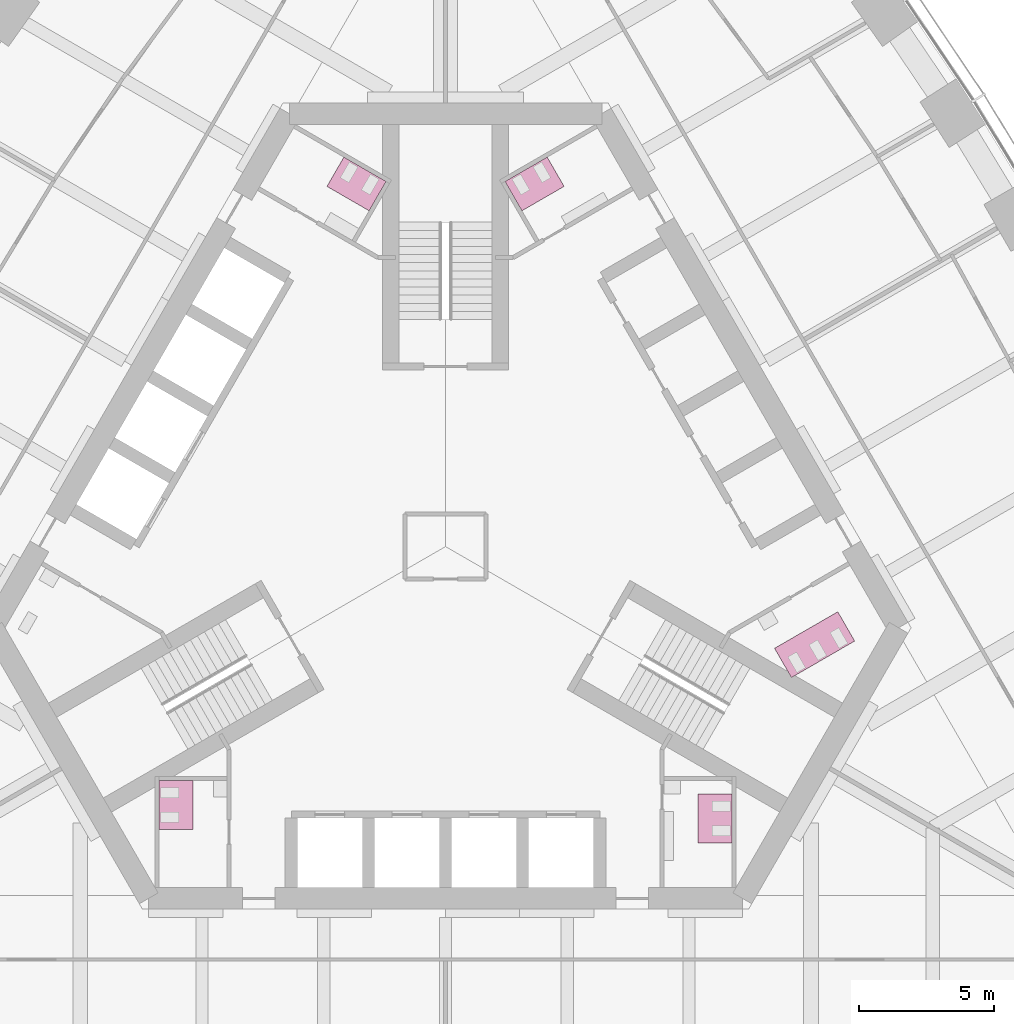
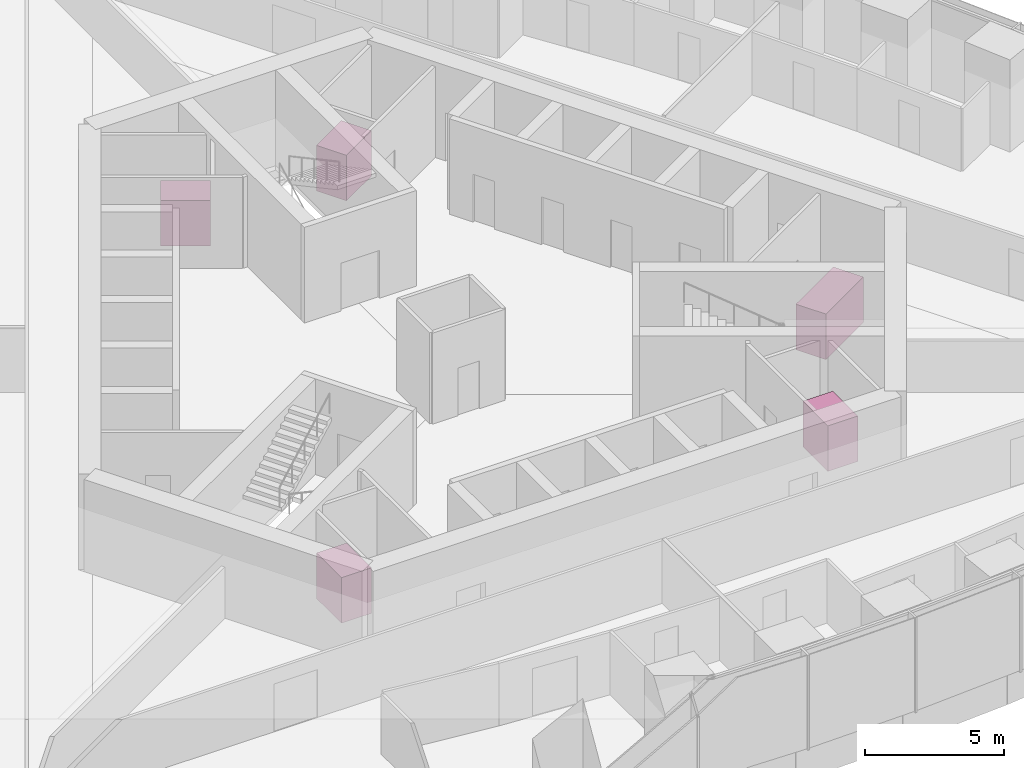
# One storey, part 19 of 19: 5 furniture elements.
"""IFC4 building model written with IfcOpenShell, lengths in metres."""

from ifc_helpers import new_model, si_unit, direction, frame, origin, place, context, subcontext, project, spatial, polyline, outline, extrude, material, type_object, element, save


model = new_model("IFC4")

# Units and contexts
model_context = context("Model", 3, precision=1e-05, world=origin(), true_north=direction((0.0, 1.0)))
body_context = subcontext(model_context, "Body", "Model", "MODEL_VIEW")
ifc_project = project(units=[si_unit("LENGTHUNIT", "METRE"), si_unit("AREAUNIT", "SQUARE_METRE"), si_unit("VOLUMEUNIT", "CUBIC_METRE"), si_unit("PLANEANGLEUNIT", "RADIAN"), si_unit("MASSUNIT", "GRAM", prefix="KILO")], contexts=[model_context])

# Site, building, storey
site_placement = place(None, origin())
site = spatial("IfcSite", under=ifc_project, at=site_placement, CompositionType="ELEMENT")
building_placement = place(site_placement, origin())
building = spatial("IfcBuilding", under=site, at=building_placement, Name="Trefoil Bronze Tower", CompositionType="ELEMENT")
storey_placement = place(building_placement, frame((0.0, 0.0, 193.89990234375)))
storey = spatial("IfcBuildingStorey", under=building, at=storey_placement, Name="L44", CompositionType="ELEMENT", Elevation=193.89990234375)

# Furniture
ifc_material_1 = material(Name="Compact laminate cubicles", Category="plastic")
furniture_type_1 = type_object("IfcFurnitureType", Name="WC cubicle range 2 cubicles", AssemblyPlace="FACTORY", PredefinedType="USERDEFINED", material=ifc_material_1)
furniture_1_placement = place(storey_placement, origin())
element("IfcFurniture", 1, at=furniture_1_placement, inside=storey, type_object=furniture_type_1, Name="WC cubicle range WC (men) L44", ObjectType="WC cubicle range", PredefinedType="USERDEFINED", context=body_context, shape_type="SweptSolid", body=[
    extrude(outline(polyline([(9.3349609375, -9.14990234375), (10.5849609375, -9.14990234375), (10.5849609375, -10.949951171875), (9.3349609375, -10.949951171875), (9.3349609375, -9.14990234375)])), origin(), (0.0, 0.0, 1.0), 2.0),
])
furniture_2_placement = place(storey_placement, origin())
element("IfcFurniture", 2, at=furniture_2_placement, inside=storey, type_object=furniture_type_1, Name="WC cubicle range WC (men) L44", ObjectType="WC cubicle range", PredefinedType="USERDEFINED", context=body_context, shape_type="SweptSolid", body=[
    extrude(outline(polyline([(2.82373046875, 12.409423828125), (2.19873046875, 13.491943359375), (3.757568359375, 14.391845703125), (4.382568359375, 13.309326171875), (2.82373046875, 12.409423828125)])), origin(), (0.0, 0.0, 1.0), 2.0),
])
furniture_3_placement = place(storey_placement, origin())
element("IfcFurniture", 3, at=furniture_3_placement, inside=storey, type_object=furniture_type_1, Name="WC cubicle range WC (women) L44", ObjectType="WC cubicle range", PredefinedType="USERDEFINED", context=body_context, shape_type="SweptSolid", body=[
    extrude(outline(polyline([(-2.82373046875, 12.409423828125), (-2.19873046875, 13.491943359375), (-3.757568359375, 14.391845703125), (-4.382568359375, 13.309326171875), (-2.82373046875, 12.409423828125)])), origin(), (0.0, 0.0, 1.0), 2.0),
])
furniture_4_placement = place(storey_placement, origin())
element("IfcFurniture", 4, at=furniture_4_placement, inside=storey, type_object=furniture_type_1, Name="WC cubicle range WC (women) L44", ObjectType="WC cubicle range", PredefinedType="USERDEFINED", context=body_context, shape_type="SweptSolid", body=[
    extrude(outline(polyline([(-9.3349609375, -8.64990234375), (-10.5849609375, -8.64990234375), (-10.5849609375, -10.449951171875), (-9.3349609375, -10.449951171875), (-9.3349609375, -8.64990234375)])), origin(), (0.0, 0.0, 1.0), 2.0),
])
ifc_material_2 = material(Name="Compact laminate cubicles", Category="plastic")
furniture_type_2 = type_object("IfcFurnitureType", Name="WC cubicle range 3 cubicles", AssemblyPlace="FACTORY", PredefinedType="USERDEFINED", material=ifc_material_2)
furniture_5_placement = place(storey_placement, origin())
element("IfcFurniture", 5, at=furniture_5_placement, inside=storey, type_object=furniture_type_2, Name="WC cubicle range WC (women) L44", ObjectType="WC cubicle range", PredefinedType="USERDEFINED", context=body_context, shape_type="SweptSolid", body=[
    extrude(outline(polyline([(12.15869140625, -3.75927734375), (12.78369140625, -4.841796875), (15.121826171875, -3.491943359375), (14.496826171875, -2.409423828125), (12.15869140625, -3.75927734375)])), origin(), (0.0, 0.0, 1.0), 2.0),
])

save(model, "model.ifc")
